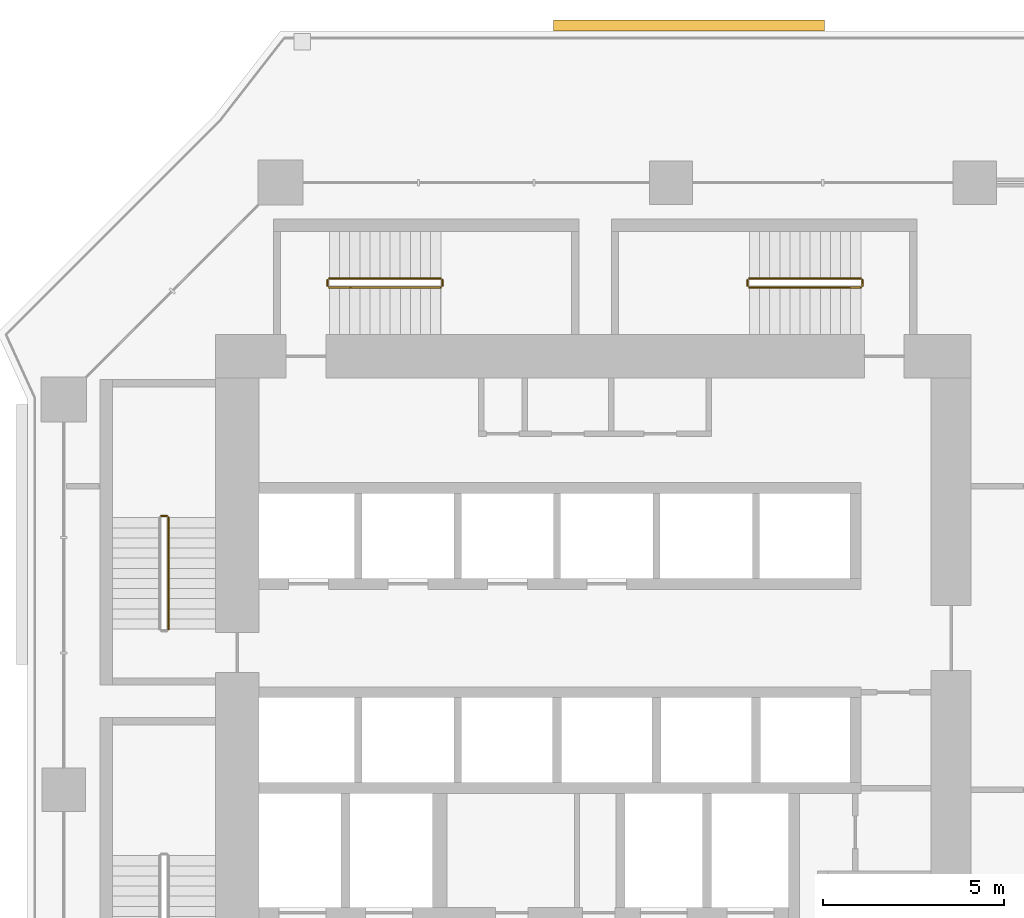
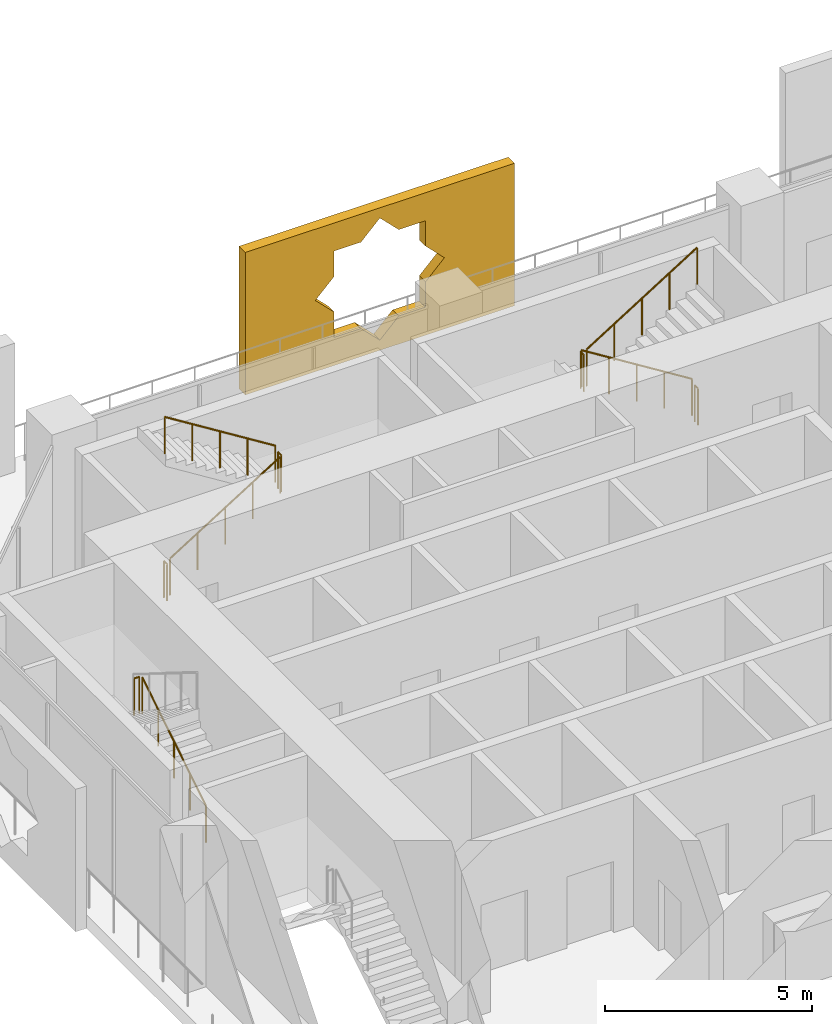
# One storey, part 24 of 26: 10 railings, 1 covering.
"""IFC4 building model written with IfcOpenShell, lengths in metres."""

from ifc_helpers import new_model, si_unit, direction, frame, origin, origin_2d, place, context, subcontext, project, spatial, polyline, circle, outline, extrude, material, material_profile, profile_set, type_object, element, save


model = new_model("IFC4")

# Units and contexts
model_context = context("Model", 3, precision=1e-05, world=origin(), true_north=direction((0.0, 1.0)))
body_context = subcontext(model_context, "Body", "Model", "MODEL_VIEW")
ifc_project = project(units=[si_unit("LENGTHUNIT", "METRE"), si_unit("AREAUNIT", "SQUARE_METRE"), si_unit("VOLUMEUNIT", "CUBIC_METRE"), si_unit("PLANEANGLEUNIT", "RADIAN"), si_unit("MASSUNIT", "GRAM", prefix="KILO")], contexts=[model_context])

# Site, building, storey
site_placement = place(None, origin())
site = spatial("IfcSite", under=ifc_project, at=site_placement, CompositionType="ELEMENT")
building_placement = place(site_placement, origin())
building = spatial("IfcBuilding", under=site, at=building_placement, Name="Kawkab Arch Medical Tower", CompositionType="ELEMENT")
storey_placement = place(building_placement, frame((0.0, 0.0, 51.800048828125)))
storey = spatial("IfcBuildingStorey", under=building, at=storey_placement, Name="L11", CompositionType="ELEMENT", Elevation=51.800048828125)

# Covering
ifc_material_1 = material(Name="Bronze anodised aluminium mashrabiya panel, eight-point star pattern", Category="aluminium")
ifc_material_profile = material_profile(ifc_material_1, outline(polyline([(-3.75, -2.10009765625), (3.75, -2.10009765625), (3.75, 2.10009765625), (-3.75, 2.10009765625), (-3.75, -2.10009765625)]), holes=[polyline([(1.800048828125, 0.0), (1.272705078125, 0.527099609375), (1.272705078125, 1.272705078125), (0.527099609375, 1.272705078125), (0.0, 1.800048828125), (-0.527099609375, 1.272705078125), (-1.272705078125, 1.272705078125), (-1.272705078125, 0.527099609375), (-1.800048828125, 0.0), (-1.272705078125, -0.527099609375), (-1.272705078125, -1.272705078125), (-0.527099609375, -1.272705078125), (0.0, -1.800048828125), (0.527099609375, -1.272705078125), (1.272705078125, -1.272705078125), (1.272705078125, -0.527099609375), (1.800048828125, 0.0)])]), Name="Mashrabiya panel 7500x4200")
ifc_profile_set = profile_set([ifc_material_profile], Name="Bronze anodised aluminium mashrabiya panel, eight-point star pattern")
covering_type = type_object("IfcCoveringType", Name="Mashrabiya panel 7500 x 4200", PredefinedType="USERDEFINED", material=ifc_profile_set)
covering_placement = place(storey_placement, frame((17.30322265625, 4.199951171875, 1.699951171875), z_axis=(0.0, 1.0, 0.0), x_axis=(-1.0, 0.0, 0.0)))
element("IfcCovering", 1, at=covering_placement, inside=storey, type_object=covering_type, Name="Mashrabiya panel L11.LOG-01-01.5", ObjectType="SCREEN", PredefinedType="USERDEFINED", context=body_context, shape_type="SweptSolid", body=[
    extrude(outline(polyline([(-3.75, -2.10009765625), (3.75, -2.10009765625), (3.75, 2.10009765625), (-3.75, 2.10009765625), (-3.75, -2.10009765625)]), holes=[polyline([(1.800048828125, 0.0), (1.272705078125, 0.527099609375), (1.272705078125, 1.272705078125), (0.527099609375, 1.272705078125), (0.0, 1.800048828125), (-0.527099609375, 1.272705078125), (-1.272705078125, 1.272705078125), (-1.272705078125, 0.527099609375), (-1.800048828125, 0.0), (-1.272705078125, -0.527099609375), (-1.272705078125, -1.272705078125), (-0.527099609375, -1.272705078125), (0.0, -1.800048828125), (0.527099609375, -1.272705078125), (1.272705078125, -1.272705078125), (1.272705078125, -0.527099609375), (1.800048828125, 0.0)])]), origin(), (0.0, 0.0, 1.0), 0.300048828125),
])

# Railings
ifc_material_2 = material(Name="Stainless steel", Category="steel")
railing_type = type_object("IfcRailingType", Name="Stair guard 1100", PredefinedType="GUARDRAIL", material=ifc_material_2)
railing_1_placement = place(storey_placement, frame((2.89990234375, -12.35009765625, 0.175048828125)))
element("IfcRailing", 2, at=railing_1_placement, inside=storey, type_object=railing_type, Name="L11 ST1 stair guard 1", PredefinedType="GUARDRAIL", context=body_context, shape_type="SweptSolid", body=[
    extrude(circle(Radius=0.02392578125, at=origin_2d()), frame((0.0, 0.0, 1.076171875), z_axis=(0.0, 0.848028513186, 0.529950602248), x_axis=(-1.0, 0.0, 0.0)), (0.0, 0.0, 1.0), 3.632080078125),
    extrude(circle(Radius=0.02099609375, at=origin_2d()), origin(), (0.0, 0.0, 1.0), 1.052001953125),
    extrude(circle(Radius=0.02099609375, at=origin_2d()), frame((0.0, 0.77001953125, 0.481201171875)), (0.0, 0.0, 1.0), 1.052001953125),
    extrude(circle(Radius=0.02099609375, at=origin_2d()), frame((0.0, 1.5400390625, 0.96240234375)), (0.0, 0.0, 1.0), 1.052001953125),
    extrude(circle(Radius=0.02099609375, at=origin_2d()), frame((0.0, 2.31005859375, 1.443603515625)), (0.0, 0.0, 1.0), 1.052001953125),
    extrude(circle(Radius=0.02099609375, at=origin_2d()), frame((0.0, 3.080078125, 1.9248046875)), (0.0, 0.0, 1.0), 1.052001953125),
])
railing_2_placement = place(storey_placement, frame((2.85009765625, -9.219970703125, 2.099853515625)))
element("IfcRailing", 3, at=railing_2_placement, inside=storey, type_object=railing_type, Name="L11 ST1 stair guard 2", PredefinedType="GUARDRAIL", context=body_context, shape_type="SweptSolid", body=[
    extrude(circle(Radius=0.02392578125, at=origin_2d()), frame((0.0, 0.0, 1.076171875), z_axis=(-1.0, 0.0, 0.0), x_axis=(0.0, -1.0, 0.0)), (0.0, 0.0, 1.0), 0.150146484375),
    extrude(circle(Radius=0.02099609375, at=origin_2d()), origin(), (0.0, 0.0, 1.0), 1.052001953125),
    extrude(circle(Radius=0.02099609375, at=origin_2d()), frame((-0.150146484375, 0.0, 0.0)), (0.0, 0.0, 1.0), 1.052001953125),
])
railing_3_placement = place(storey_placement, frame((7.35009765625, -2.89990234375, 0.175048828125)))
element("IfcRailing", 4, at=railing_3_placement, inside=storey, type_object=railing_type, Name="L11 ST3 stair guard 1", PredefinedType="GUARDRAIL", context=body_context, shape_type="SweptSolid", body=[
    extrude(circle(Radius=0.02392578125, at=origin_2d()), frame((0.0, 0.0, 1.076171875), z_axis=(0.848009633417, 0.0, 0.529980812513), x_axis=(0.0, 1.0, 0.0)), (0.0, 0.0, 1.0), 3.6318359375),
    extrude(circle(Radius=0.02099609375, at=origin_2d()), origin(), (0.0, 0.0, 1.0), 1.052001953125),
    extrude(circle(Radius=0.02099609375, at=origin_2d()), frame((0.77001953125, 0.0, 0.481201171875)), (0.0, 0.0, 1.0), 1.052001953125),
    extrude(circle(Radius=0.02099609375, at=origin_2d()), frame((1.5400390625, 0.0, 0.96240234375)), (0.0, 0.0, 1.0), 1.052001953125),
    extrude(circle(Radius=0.02099609375, at=origin_2d()), frame((2.309814453125, 0.0, 1.443603515625)), (0.0, 0.0, 1.0), 1.052001953125),
    extrude(circle(Radius=0.02099609375, at=origin_2d()), frame((3.079833984375, 0.0, 1.9248046875)), (0.0, 0.0, 1.0), 1.052001953125),
])
railing_4_placement = place(storey_placement, frame((10.47998046875, -2.85009765625, 2.099853515625)))
element("IfcRailing", 5, at=railing_4_placement, inside=storey, type_object=railing_type, Name="L11 ST3 stair guard 2", PredefinedType="GUARDRAIL", context=body_context, shape_type="SweptSolid", body=[
    extrude(circle(Radius=0.02392578125, at=origin_2d()), frame((0.0, 0.0, 1.076171875), z_axis=(0.0, 1.0, 0.0), x_axis=(-1.0, 0.0, 0.0)), (0.0, 0.0, 1.0), 0.150146484375),
    extrude(circle(Radius=0.02099609375, at=origin_2d()), origin(), (0.0, 0.0, 1.0), 1.052001953125),
    extrude(circle(Radius=0.02099609375, at=origin_2d()), frame((0.0, 0.150146484375, 0.0)), (0.0, 0.0, 1.0), 1.052001953125),
])
railing_5_placement = place(storey_placement, frame((10.429931640625, -2.64990234375, 2.27490234375)))
element("IfcRailing", 6, at=railing_5_placement, inside=storey, type_object=railing_type, Name="L11 ST3 stair guard 3", PredefinedType="GUARDRAIL", context=body_context, shape_type="SweptSolid", body=[
    extrude(circle(Radius=0.02392578125, at=origin_2d()), frame((0.0, 0.0, 1.076171875), z_axis=(-0.847979421464, 0.0, 0.530029150871), x_axis=(0.0, -1.0, 0.0)), (0.0, 0.0, 1.0), 3.632080078125),
    extrude(circle(Radius=0.02099609375, at=origin_2d()), origin(), (0.0, 0.0, 1.0), 1.052001953125),
    extrude(circle(Radius=0.02099609375, at=origin_2d()), frame((-0.77001953125, 0.0, 0.481201171875)), (0.0, 0.0, 1.0), 1.052001953125),
    extrude(circle(Radius=0.02099609375, at=origin_2d()), frame((-1.5400390625, 0.0, 0.96240234375)), (0.0, 0.0, 1.0), 1.052001953125),
    extrude(circle(Radius=0.02099609375, at=origin_2d()), frame((-2.309814453125, 0.0, 1.44384765625)), (0.0, 0.0, 1.0), 1.052001953125),
    extrude(circle(Radius=0.02099609375, at=origin_2d()), frame((-3.079833984375, 0.0, 1.925048828125)), (0.0, 0.0, 1.0), 1.052001953125),
])
railing_6_placement = place(storey_placement, frame((7.300048828125, -2.85009765625, 0.0)))
element("IfcRailing", 7, at=railing_6_placement, inside=storey, type_object=railing_type, Name="L11 ST3 stair guard 4", PredefinedType="GUARDRAIL", context=body_context, shape_type="SweptSolid", body=[
    extrude(circle(Radius=0.02392578125, at=origin_2d()), frame((0.0, 0.0, 1.076171875), z_axis=(0.0, 1.0, 0.0), x_axis=(-1.0, 0.0, 0.0)), (0.0, 0.0, 1.0), 0.150146484375),
    extrude(circle(Radius=0.02099609375, at=origin_2d()), origin(), (0.0, 0.0, 1.0), 1.052001953125),
    extrude(circle(Radius=0.02099609375, at=origin_2d()), frame((0.0, 0.150146484375, 0.0)), (0.0, 0.0, 1.0), 1.052001953125),
])
railing_7_placement = place(storey_placement, frame((22.050048828125, -2.64990234375, 0.175048828125)))
element("IfcRailing", 8, at=railing_7_placement, inside=storey, type_object=railing_type, Name="L11 ST4 stair guard 1", PredefinedType="GUARDRAIL", context=body_context, shape_type="SweptSolid", body=[
    extrude(circle(Radius=0.02392578125, at=origin_2d()), frame((0.0, 0.0, 1.076171875), z_axis=(-0.848028513186, 0.0, 0.529950602248), x_axis=(0.0, -1.0, 0.0)), (0.0, 0.0, 1.0), 3.632080078125),
    extrude(circle(Radius=0.02099609375, at=origin_2d()), origin(), (0.0, 0.0, 1.0), 1.052001953125),
    extrude(circle(Radius=0.02099609375, at=origin_2d()), frame((-0.77001953125, 0.0, 0.481201171875)), (0.0, 0.0, 1.0), 1.052001953125),
    extrude(circle(Radius=0.02099609375, at=origin_2d()), frame((-1.5400390625, 0.0, 0.96240234375)), (0.0, 0.0, 1.0), 1.052001953125),
    extrude(circle(Radius=0.02099609375, at=origin_2d()), frame((-2.31005859375, 0.0, 1.443603515625)), (0.0, 0.0, 1.0), 1.052001953125),
    extrude(circle(Radius=0.02099609375, at=origin_2d()), frame((-3.080078125, 0.0, 1.9248046875)), (0.0, 0.0, 1.0), 1.052001953125),
])
railing_8_placement = place(storey_placement, frame((18.919921875, -2.699951171875, 2.099853515625)))
element("IfcRailing", 9, at=railing_8_placement, inside=storey, type_object=railing_type, Name="L11 ST4 stair guard 2", PredefinedType="GUARDRAIL", context=body_context, shape_type="SweptSolid", body=[
    extrude(circle(Radius=0.02392578125, at=origin_2d()), frame((0.0, 0.0, 1.076171875), z_axis=(0.0, -1.0, 0.0), x_axis=(1.0, 0.0, 0.0)), (0.0, 0.0, 1.0), 0.150146484375),
    extrude(circle(Radius=0.02099609375, at=origin_2d()), origin(), (0.0, 0.0, 1.0), 1.052001953125),
    extrude(circle(Radius=0.02099609375, at=origin_2d()), frame((0.0, -0.150146484375, 0.0)), (0.0, 0.0, 1.0), 1.052001953125),
])
railing_9_placement = place(storey_placement, frame((18.969970703125, -2.89990234375, 2.27490234375)))
element("IfcRailing", 10, at=railing_9_placement, inside=storey, type_object=railing_type, Name="L11 ST4 stair guard 3", PredefinedType="GUARDRAIL", context=body_context, shape_type="SweptSolid", body=[
    extrude(circle(Radius=0.02392578125, at=origin_2d()), frame((0.0, 0.0, 1.076171875), z_axis=(0.847998304005, 0.0, 0.529998940003), x_axis=(0.0, 1.0, 0.0)), (0.0, 0.0, 1.0), 3.632080078125),
    extrude(circle(Radius=0.02099609375, at=origin_2d()), origin(), (0.0, 0.0, 1.0), 1.052001953125),
    extrude(circle(Radius=0.02099609375, at=origin_2d()), frame((0.77001953125, 0.0, 0.481201171875)), (0.0, 0.0, 1.0), 1.052001953125),
    extrude(circle(Radius=0.02099609375, at=origin_2d()), frame((1.5400390625, 0.0, 0.96240234375)), (0.0, 0.0, 1.0), 1.052001953125),
    extrude(circle(Radius=0.02099609375, at=origin_2d()), frame((2.31005859375, 0.0, 1.44384765625)), (0.0, 0.0, 1.0), 1.052001953125),
    extrude(circle(Radius=0.02099609375, at=origin_2d()), frame((3.080078125, 0.0, 1.925048828125)), (0.0, 0.0, 1.0), 1.052001953125),
])
railing_10_placement = place(storey_placement, frame((22.10009765625, -2.699951171875, 0.0)))
element("IfcRailing", 11, at=railing_10_placement, inside=storey, type_object=railing_type, Name="L11 ST4 stair guard 4", PredefinedType="GUARDRAIL", context=body_context, shape_type="SweptSolid", body=[
    extrude(circle(Radius=0.02392578125, at=origin_2d()), frame((0.0, 0.0, 1.076171875), z_axis=(0.0, -1.0, 0.0), x_axis=(1.0, 0.0, 0.0)), (0.0, 0.0, 1.0), 0.150146484375),
    extrude(circle(Radius=0.02099609375, at=origin_2d()), origin(), (0.0, 0.0, 1.0), 1.052001953125),
    extrude(circle(Radius=0.02099609375, at=origin_2d()), frame((0.0, -0.150146484375, 0.0)), (0.0, 0.0, 1.0), 1.052001953125),
])

save(model, "model.ifc")
